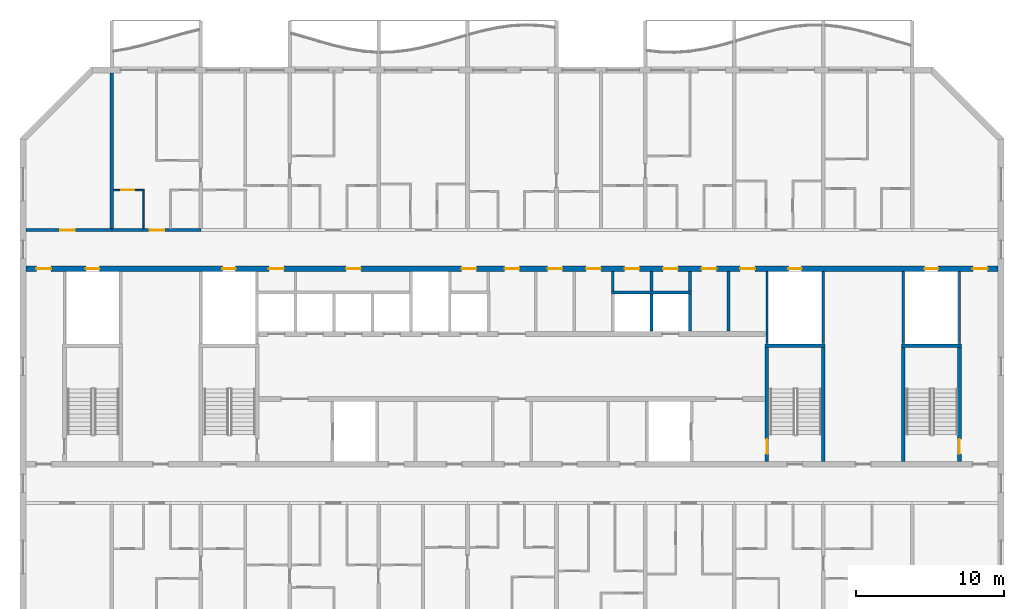
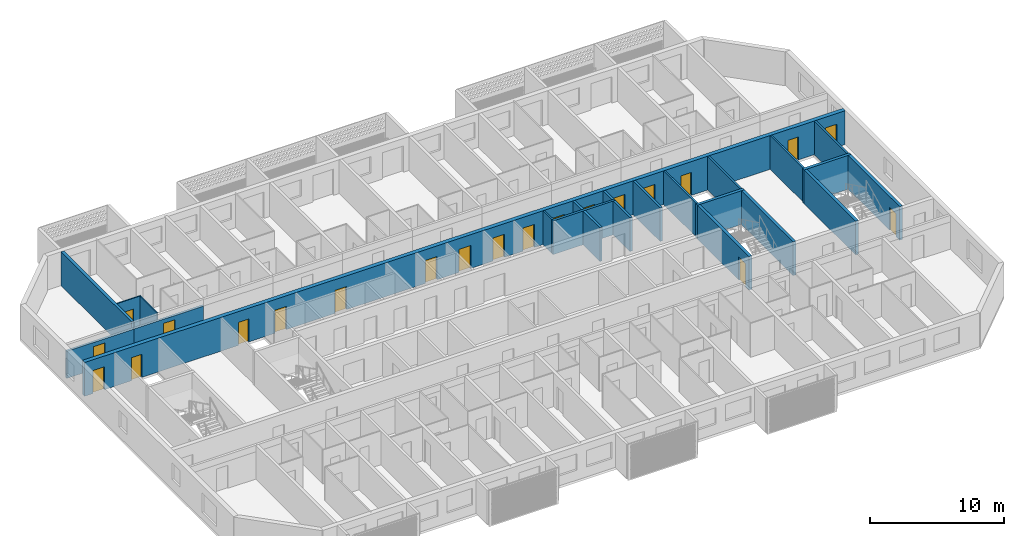
# One storey, part 7 of 29: 23 walls, 21 doors, 21 openings.
"""IFC4 building model written with IfcOpenShell, lengths in metres."""

from ifc_helpers import new_model, si_unit, direction, frame, frame_2d, origin, place, context, subcontext, project, spatial, rectangle, extrude, material, layer, layer_set, type_object, element, fill, save


model = new_model("IFC4")

# Units and contexts
model_context = context("Model", 3, precision=1e-05, world=origin(), true_north=direction((0.0, 1.0)))
body_context = subcontext(model_context, "Body", "Model", "MODEL_VIEW")
ifc_project = project(units=[si_unit("LENGTHUNIT", "METRE"), si_unit("AREAUNIT", "SQUARE_METRE"), si_unit("VOLUMEUNIT", "CUBIC_METRE"), si_unit("PLANEANGLEUNIT", "RADIAN"), si_unit("MASSUNIT", "GRAM", prefix="KILO")], contexts=[model_context])

# Site, building, storey
site_placement = place(None, origin())
site = spatial("IfcSite", under=ifc_project, at=site_placement, CompositionType="ELEMENT")
building_placement = place(site_placement, origin())
building = spatial("IfcBuilding", under=site, at=building_placement, Name="Poui Terraces", CompositionType="ELEMENT")
storey_placement = place(building_placement, frame((0.0, 0.0, 231.300048828125)))
storey = spatial("IfcBuildingStorey", under=building, at=storey_placement, Name="L64", CompositionType="ELEMENT", Elevation=231.300048828125)

# Wall, opening, door
ifc_material_1 = material(Name="Concrete 50 MPa", Category="concrete")
ifc_layer_1 = layer(ifc_material_1, 0.199951171875)
ifc_layer_set_1 = layer_set([ifc_layer_1], Name="Concrete 50 MPa")
wall_type_1 = type_object("IfcWallType", Name="CORRIDOR WALL 200 50MPa", PredefinedType="SHEAR", material=ifc_layer_set_1)
wall_1_placement = place(storey_placement, frame((18.199951171875, 30.39990234375, 0.0), z_axis=(0.0, 0.0, 1.0), x_axis=(1.0, 0.0, 0.0)))
wall_1 = element("IfcWall", 1, at=wall_1_placement, inside=storey, type_object=wall_type_1, Name="CORRIDOR WALL LINE E BAY 1", PredefinedType="SHEAR", context=body_context, shape_type="SweptSolid", body=[
    extrude(rectangle(XDim=5.800048828125, YDim=0.199951171875, at=frame_2d((2.89990234375, 0.0))), origin(), (0.0, 0.0, 1.0), 2.47998046875),
])
opening_1_placement = place(wall_1_placement, frame((2.300048828125, 0.0, 0.0)))
opening_1 = element("IfcOpeningElement", 2, at=opening_1_placement, cuts=wall_1, Name="Opening D100", PredefinedType="OPENING", context=body_context, shape_type="SweptSolid", body=[
    extrude(rectangle(XDim=1.0, YDim=2.10009765625, at=frame_2d((0.5, 1.050048828125))), frame((0.0, 0.10986328125, 0.0), z_axis=(0.0, -1.0, 0.0), x_axis=(1.0, 0.0, 0.0)), (0.0, 0.0, 1.0), 0.219970703125),
])
ifc_material_2 = material(Name="Solid core timber door", Category="wood")
door_type_1 = type_object("IfcDoorType", Name="ACCESSIBLE INTERNAL DOOR 1000 X 2100", OperationType="NOTDEFINED", PredefinedType="DOOR", material=ifc_material_2)
door_1_placement = place(opening_1_placement, origin())
door_1 = element("IfcDoor", 3, at=door_1_placement, inside=storey, type_object=door_type_1, Name="ACCESSIBLE INTERNAL DOOR 028", OperationType="SINGLE_SWING_LEFT", OverallHeight=2.10009765625, OverallWidth=1.0, PredefinedType="DOOR", context=body_context, shape_type="SweptSolid", body=[
    extrude(rectangle(XDim=1.0, YDim=2.10009765625, at=frame_2d((0.5, 1.050048828125))), frame((0.0, 0.02490234375, 0.0), z_axis=(0.0, -1.0, 0.0), x_axis=(1.0, 0.0, 0.0)), (0.0, 0.0, 1.0), 0.050048828125),
])
fill(opening_1, door_1)

wall_2_placement = place(storey_placement, frame((24.0, 30.39990234375, 0.0), z_axis=(0.0, 0.0, 1.0), x_axis=(1.0, 0.0, 0.0)))
wall_2 = element("IfcWall", 4, at=wall_2_placement, inside=storey, type_object=wall_type_1, Name="CORRIDOR WALL LINE E BAY 2", PredefinedType="SHEAR", context=body_context, shape_type="SweptSolid", body=[
    extrude(rectangle(XDim=6.0, YDim=0.199951171875, at=frame_2d((3.0, 0.0))), origin(), (0.0, 0.0, 1.0), 2.47998046875),
])
opening_2_placement = place(wall_2_placement, frame((2.550048828125, 0.0, 0.0)))
opening_2 = element("IfcOpeningElement", 5, at=opening_2_placement, cuts=wall_2, Name="Opening FD30S", PredefinedType="OPENING", context=body_context, shape_type="SweptSolid", body=[
    extrude(rectangle(XDim=1.0, YDim=2.10009765625, at=frame_2d((0.5, 1.050048828125))), frame((0.0, 0.10986328125, 0.0), z_axis=(0.0, -1.0, 0.0), x_axis=(1.0, 0.0, 0.0)), (0.0, 0.0, 1.0), 0.219970703125),
])
ifc_material_3 = material(Name="Steel fire door", Category="steel")
door_type_2 = type_object("IfcDoorType", Name="FLAT ENTRANCE DOOR 1000 X 2100", OperationType="NOTDEFINED", PredefinedType="DOOR", material=ifc_material_3)
door_2_placement = place(opening_2_placement, origin())
door_2 = element("IfcDoor", 6, at=door_2_placement, inside=storey, type_object=door_type_2, Name="FLAT ENTRANCE DOOR 031", OperationType="SINGLE_SWING_RIGHT", OverallHeight=2.10009765625, OverallWidth=1.0, PredefinedType="DOOR", context=body_context, shape_type="SweptSolid", body=[
    extrude(rectangle(XDim=1.0, YDim=2.10009765625, at=frame_2d((0.5, 1.050048828125))), frame((0.0, 0.02490234375, 0.0), z_axis=(0.0, -1.0, 0.0), x_axis=(1.0, 0.0, 0.0)), (0.0, 0.0, 1.0), 0.050048828125),
])
fill(opening_2, door_2)

# Wall
ifc_layer_2 = layer(ifc_material_1, 0.25)
ifc_layer_set_2 = layer_set([ifc_layer_2], Name="Concrete 50 MPa")
wall_type_2 = type_object("IfcWallType", Name="CROSS WALL 250 50MPa", PredefinedType="SHEAR", material=ifc_layer_set_2)
wall_3_placement = place(storey_placement, frame((24.0, 30.5, 0.0), z_axis=(0.0, 0.0, 1.0), x_axis=(0.0, 1.0, 0.0)))
element("IfcWall", 7, at=wall_3_placement, inside=storey, type_object=wall_type_2, Name="CROSS WALL LINE 5 NORTH", PredefinedType="SHEAR", context=body_context, shape_type="SweptSolid", body=[
    extrude(rectangle(XDim=10.5, YDim=0.25, at=frame_2d((5.25, 0.0))), origin(), (0.0, 0.0, 1.0), 3.079833984375),
])

# Wall, opening, door
ifc_material_4 = material(Name="Plasterboard partition")
ifc_layer_3 = layer(ifc_material_4, 0.10009765625)
ifc_layer_set_3 = layer_set([ifc_layer_3], Name="Plasterboard partition")
wall_type_3 = type_object("IfcWallType", Name="FLAT PARTITION 100", PredefinedType="PARTITIONING", material=ifc_layer_set_3)
wall_4_placement = place(storey_placement, frame((24.135009765625, 33.10009765625, 0.0), z_axis=(0.0, 0.0, 1.0), x_axis=(1.0, 0.0, 0.0)))
wall_4 = element("IfcWall", 8, at=wall_4_placement, inside=storey, type_object=wall_type_3, Name="FLAT PARTITION 100", PredefinedType="PARTITIONING", context=body_context, shape_type="SweptSolid", body=[
    extrude(rectangle(XDim=2.06494140625, YDim=0.10009765625, at=frame_2d((1.032470703125, 0.0))), origin(), (0.0, 0.0, 1.0), 3.079833984375),
])
opening_3_placement = place(wall_4_placement, frame((0.489990234375, 0.0, 0.0)))
opening_3 = element("IfcOpeningElement", 9, at=opening_3_placement, cuts=wall_4, Name="Opening D90", PredefinedType="OPENING", context=body_context, shape_type="SweptSolid", body=[
    extrude(rectangle(XDim=0.89990234375, YDim=2.10009765625, at=frame_2d((0.449951171875, 1.050048828125))), frame((0.0, 0.06005859375, 0.0), z_axis=(0.0, -1.0, 0.0), x_axis=(1.0, 0.0, 0.0)), (0.0, 0.0, 1.0), 0.1201171875),
])
door_type_3 = type_object("IfcDoorType", Name="INTERNAL DOOR 900 X 2100", OperationType="NOTDEFINED", PredefinedType="DOOR", material=ifc_material_2)
door_3_placement = place(opening_3_placement, frame((0.89990234375, 0.0, 0.0), z_axis=(0.0, 0.0, 1.0), x_axis=(-1.0, 0.0, 0.0)))
door_3 = element("IfcDoor", 10, at=door_3_placement, inside=storey, type_object=door_type_3, Name="INTERNAL DOOR 030", OperationType="SINGLE_SWING_LEFT", OverallHeight=2.10009765625, OverallWidth=0.89990234375, PredefinedType="DOOR", context=body_context, shape_type="SweptSolid", body=[
    extrude(rectangle(XDim=0.89990234375, YDim=2.10009765625, at=frame_2d((0.449951171875, 1.050048828125))), frame((0.0, 0.02490234375, 0.0), z_axis=(0.0, -1.0, 0.0), x_axis=(1.0, 0.0, 0.0)), (0.0, 0.0, 1.0), 0.050048828125),
])
fill(opening_3, door_3)

# Walls
wall_5_placement = place(storey_placement, frame((26.14990234375, 30.510009765625, 0.0), z_axis=(0.0, 0.0, 1.0), x_axis=(0.0, 1.0, 0.0)))
element("IfcWall", 11, at=wall_5_placement, inside=storey, type_object=wall_type_3, Name="FLAT PARTITION 100", PredefinedType="PARTITIONING", context=body_context, shape_type="SweptSolid", body=[
    extrude(rectangle(XDim=2.5400390625, YDim=0.10009765625, at=frame_2d((1.27001953125, 0.0))), origin(), (0.0, 0.0, 1.0), 3.079833984375),
])
ifc_layer_4 = layer(ifc_material_4, 0.14990234375)
ifc_layer_set_4 = layer_set([ifc_layer_4], Name="Plasterboard partition")
wall_type_4 = type_object("IfcWallType", Name="PARTITION WALL 150", PredefinedType="PARTITIONING", material=ifc_layer_set_4)
wall_6_placement = place(storey_placement, frame((57.800048828125, 26.300048828125, 0.0), z_axis=(0.0, 0.0, 1.0), x_axis=(0.0, 1.0, 0.0)))
element("IfcWall", 12, at=wall_6_placement, inside=storey, type_object=wall_type_4, Name="PARTITION WALL 150", PredefinedType="PARTITIONING", context=body_context, shape_type="SweptSolid", body=[
    extrude(rectangle(XDim=1.31494140625, YDim=0.14990234375, at=frame_2d((0.657470703125, 0.0))), origin(), (0.0, 0.0, 1.0), 3.079833984375),
])
ifc_material_5 = material(Name="Fire-rated masonry wall", Category="masonry")
ifc_layer_5 = layer(ifc_material_5, 0.199951171875)
ifc_layer_set_5 = layer_set([ifc_layer_5], Name="Fire-rated masonry wall")
wall_type_5 = type_object("IfcWallType", Name="PLANT ROOM WALL 200", PredefinedType="PARTITIONING", material=ifc_layer_set_5)
for number, where, z_axis, x_axis, name in (
    (13, (60.39990234375, 26.300048828125, 0.0), (0.0, 0.0, 1.0), (0.0, 1.0, 0.0), "PLANT ROOM WALL 200"),
    (14, (63.0, 26.300048828125, 0.0), (0.0, 0.0, 1.0), (0.0, 1.0, 0.0), "PLANT ROOM WALL 200"),
):
    element("IfcWall", number, at=place(storey_placement, frame(where, z_axis=z_axis, x_axis=x_axis)), inside=storey, type_object=wall_type_5, Name=name, PredefinedType="PARTITIONING", context=body_context, shape_type="SweptSolid", body=[
        extrude(rectangle(XDim=1.31494140625, YDim=0.199951171875, at=frame_2d((0.657470703125, 0.0))), origin(), (0.0, 0.0, 1.0), 3.079833984375),
    ])
wall_7_placement = place(storey_placement, frame((65.60009765625, 23.5849609375, 0.0), z_axis=(0.0, 0.0, 1.0), x_axis=(0.0, 1.0, 0.0)))
element("IfcWall", 15, at=wall_7_placement, inside=storey, type_object=wall_type_5, Name="PLANT ROOM WALL 200", PredefinedType="PARTITIONING", context=body_context, shape_type="SweptSolid", body=[
    extrude(rectangle(XDim=4.030029296875, YDim=0.199951171875, at=frame_2d((2.01513671875, 0.0))), origin(), (0.0, 0.0, 1.0), 3.079833984375),
])
ifc_material_6 = material(Name="Fire-rated plasterboard riser wall")
ifc_layer_6 = layer(ifc_material_6, 0.14990234375)
ifc_layer_set_6 = layer_set([ifc_layer_6], Name="Fire-rated plasterboard riser wall")
wall_type_6 = type_object("IfcWallType", Name="RISER WALL 150", PredefinedType="PARTITIONING", material=ifc_layer_set_6)
for number, where, z_axis, x_axis, name in (
    (16, (68.199951171875, 22.735107421875, 0.0), (0.0, 0.0, 1.0), (0.0, 1.0, 0.0), "RISER WALL 150"),
    (17, (72.0, 22.735107421875, 0.0), (0.0, 0.0, 1.0), (0.0, 1.0, 0.0), "RISER WALL 150"),
    (18, (77.39990234375, 22.735107421875, 0.0), (0.0, 0.0, 1.0), (0.0, 1.0, 0.0), "RISER WALL 150"),
    (19, (81.199951171875, 22.735107421875, 0.0), (0.0, 0.0, 1.0), (0.0, 1.0, 0.0), "RISER WALL 150"),
):
    element("IfcWall", number, at=place(storey_placement, frame(where, z_axis=z_axis, x_axis=x_axis)), inside=storey, type_object=wall_type_6, Name=name, PredefinedType="PARTITIONING", context=body_context, shape_type="SweptSolid", body=[
        extrude(rectangle(XDim=4.8798828125, YDim=0.14990234375, at=frame_2d((2.43994140625, 0.0))), origin(), (0.0, 0.0, 1.0), 3.079833984375),
    ])
ifc_material_7 = material(Name="Fire-rated masonry shaft wall", Category="masonry")
ifc_layer_7 = layer(ifc_material_7, 0.199951171875)
ifc_layer_set_7 = layer_set([ifc_layer_7], Name="Fire-rated masonry shaft wall")
wall_type_7 = type_object("IfcWallType", Name="SHAFT WALL 200", PredefinedType="PARTITIONING", material=ifc_layer_set_7)
wall_8_placement = place(storey_placement, frame((57.699951171875, 26.199951171875, 0.0), z_axis=(0.0, 0.0, 1.0), x_axis=(1.0, 0.0, 0.0)))
element("IfcWall", 20, at=wall_8_placement, inside=storey, type_object=wall_type_7, Name="SHAFT WALL 200", PredefinedType="PARTITIONING", context=body_context, shape_type="SweptSolid", body=[
    extrude(rectangle(XDim=5.400146484375, YDim=0.199951171875, at=frame_2d((2.7001953125, 0.0))), origin(), (0.0, 0.0, 1.0), 3.079833984375),
])
for number, where, z_axis, x_axis, name in (
    (21, (60.39990234375, 23.5849609375, 0.0), (0.0, 0.0, 1.0), (0.0, 1.0, 0.0), "SHAFT WALL 200"),
    (22, (63.0, 23.5849609375, 0.0), (0.0, 0.0, 1.0), (0.0, 1.0, 0.0), "SHAFT WALL 200"),
):
    element("IfcWall", number, at=place(storey_placement, frame(where, z_axis=z_axis, x_axis=x_axis)), inside=storey, type_object=wall_type_7, Name=name, PredefinedType="PARTITIONING", context=body_context, shape_type="SweptSolid", body=[
        extrude(rectangle(XDim=2.51513671875, YDim=0.199951171875, at=frame_2d((1.257568359375, 0.0))), origin(), (0.0, 0.0, 1.0), 3.079833984375),
    ])

# Wall, openings, doors
ifc_layer_8 = layer(ifc_material_1, 0.35009765625)
ifc_layer_set_8 = layer_set([ifc_layer_8], Name="Concrete 50 MPa")
wall_type_8 = type_object("IfcWallType", Name="SPINE WALL 350 50 MPA", PredefinedType="SOLIDWALL", material=ifc_layer_set_8)
wall_9_placement = place(storey_placement, frame((18.199951171875, 27.800048828125, 0.0), z_axis=(0.0, 0.0, 1.0), x_axis=(1.0, 0.0, 0.0)))
wall_9 = element("IfcWall", 23, at=wall_9_placement, inside=storey, type_object=wall_type_8, Name="SPINE WALL", PredefinedType="SOLIDWALL", context=body_context, shape_type="SweptSolid", body=[
    extrude(rectangle(XDim=65.60009765625, YDim=0.35009765625, at=frame_2d((32.800048828125, 0.0))), origin(), (0.0, 0.0, 1.0), 3.079833984375),
])
opening_4_placement = place(wall_9_placement, frame((0.699951171875, 0.0, 0.0)))
opening_4 = element("IfcOpeningElement", 24, at=opening_4_placement, cuts=wall_9, Name="Opening FDL", PredefinedType="OPENING", context=body_context, shape_type="SweptSolid", body=[
    extrude(rectangle(XDim=1.0, YDim=2.10009765625, at=frame_2d((0.5, 1.050048828125))), frame((0.0, 0.18505859375, 0.0), z_axis=(0.0, -1.0, 0.0), x_axis=(1.0, 0.0, 0.0)), (0.0, 0.0, 1.0), 0.3701171875),
])
opening_5_placement = place(wall_9_placement, frame((4.050048828125, 0.0, 0.0)))
opening_5 = element("IfcOpeningElement", 25, at=opening_5_placement, cuts=wall_9, Name="Opening FDR", PredefinedType="OPENING", context=body_context, shape_type="SweptSolid", body=[
    extrude(rectangle(XDim=0.89990234375, YDim=2.10009765625, at=frame_2d((0.449951171875, 1.050048828125))), frame((0.0, 0.18505859375, 0.0), z_axis=(0.0, -1.0, 0.0), x_axis=(1.0, 0.0, 0.0)), (0.0, 0.0, 1.0), 0.3701171875),
])
opening_6_placement = place(wall_9_placement, frame((13.25, 0.0, 0.0)))
opening_6 = element("IfcOpeningElement", 26, at=opening_6_placement, cuts=wall_9, Name="Opening FDR", PredefinedType="OPENING", context=body_context, shape_type="SweptSolid", body=[
    extrude(rectangle(XDim=0.89990234375, YDim=2.10009765625, at=frame_2d((0.449951171875, 1.050048828125))), frame((0.0, 0.18505859375, 0.0), z_axis=(0.0, -1.0, 0.0), x_axis=(1.0, 0.0, 0.0)), (0.0, 0.0, 1.0), 0.3701171875),
])
opening_7_placement = place(wall_9_placement, frame((16.39990234375, 0.0, 0.0)))
opening_7 = element("IfcOpeningElement", 27, at=opening_7_placement, cuts=wall_9, Name="Opening FD60", PredefinedType="OPENING", context=body_context, shape_type="SweptSolid", body=[
    extrude(rectangle(XDim=1.0, YDim=2.10009765625, at=frame_2d((0.5, 1.050048828125))), frame((0.0, 0.18505859375, 0.0), z_axis=(0.0, -1.0, 0.0), x_axis=(1.0, 0.0, 0.0)), (0.0, 0.0, 1.0), 0.3701171875),
])
opening_8_placement = place(wall_9_placement, frame((21.60009765625, 0.0, 0.0)))
opening_8 = element("IfcOpeningElement", 28, at=opening_8_placement, cuts=wall_9, Name="Opening FD60", PredefinedType="OPENING", context=body_context, shape_type="SweptSolid", body=[
    extrude(rectangle(XDim=1.0, YDim=2.10009765625, at=frame_2d((0.5, 1.050048828125))), frame((0.0, 0.18505859375, 0.0), z_axis=(0.0, -1.0, 0.0), x_axis=(1.0, 0.0, 0.0)), (0.0, 0.0, 1.0), 0.3701171875),
])
opening_9_placement = place(wall_9_placement, frame((29.39990234375, 0.0, 0.0)))
opening_9 = element("IfcOpeningElement", 29, at=opening_9_placement, cuts=wall_9, Name="Opening FD60", PredefinedType="OPENING", context=body_context, shape_type="SweptSolid", body=[
    extrude(rectangle(XDim=1.0, YDim=2.10009765625, at=frame_2d((0.5, 1.050048828125))), frame((0.0, 0.18505859375, 0.0), z_axis=(0.0, -1.0, 0.0), x_axis=(1.0, 0.0, 0.0)), (0.0, 0.0, 1.0), 0.3701171875),
])
opening_10_placement = place(wall_9_placement, frame((32.300048828125, 0.0, 0.0)))
opening_10 = element("IfcOpeningElement", 30, at=opening_10_placement, cuts=wall_9, Name="Opening FDL", PredefinedType="OPENING", context=body_context, shape_type="SweptSolid", body=[
    extrude(rectangle(XDim=1.0, YDim=2.10009765625, at=frame_2d((0.5, 1.050048828125))), frame((0.0, 0.18505859375, 0.0), z_axis=(0.0, -1.0, 0.0), x_axis=(1.0, 0.0, 0.0)), (0.0, 0.0, 1.0), 0.3701171875),
])
opening_11_placement = place(wall_9_placement, frame((35.199951171875, 0.0, 0.0)))
opening_11 = element("IfcOpeningElement", 31, at=opening_11_placement, cuts=wall_9, Name="Opening FD60", PredefinedType="OPENING", context=body_context, shape_type="SweptSolid", body=[
    extrude(rectangle(XDim=1.0, YDim=2.10009765625, at=frame_2d((0.5, 1.050048828125))), frame((0.0, 0.18505859375, 0.0), z_axis=(0.0, -1.0, 0.0), x_axis=(1.0, 0.0, 0.0)), (0.0, 0.0, 1.0), 0.3701171875),
])
opening_12_placement = place(wall_9_placement, frame((37.800048828125, 0.0, 0.0)))
opening_12 = element("IfcOpeningElement", 32, at=opening_12_placement, cuts=wall_9, Name="Opening FD60", PredefinedType="OPENING", context=body_context, shape_type="SweptSolid", body=[
    extrude(rectangle(XDim=1.0, YDim=2.10009765625, at=frame_2d((0.5, 1.050048828125))), frame((0.0, 0.18505859375, 0.0), z_axis=(0.0, -1.0, 0.0), x_axis=(1.0, 0.0, 0.0)), (0.0, 0.0, 1.0), 0.3701171875),
])
opening_13_placement = place(wall_9_placement, frame((40.39990234375, 0.0, 0.0)))
opening_13 = element("IfcOpeningElement", 33, at=opening_13_placement, cuts=wall_9, Name="Opening FD60", PredefinedType="OPENING", context=body_context, shape_type="SweptSolid", body=[
    extrude(rectangle(XDim=1.0, YDim=2.10009765625, at=frame_2d((0.5, 1.050048828125))), frame((0.0, 0.18505859375, 0.0), z_axis=(0.0, -1.0, 0.0), x_axis=(1.0, 0.0, 0.0)), (0.0, 0.0, 1.0), 0.3701171875),
])
opening_14_placement = place(wall_9_placement, frame((43.0, 0.0, 0.0)))
opening_14 = element("IfcOpeningElement", 34, at=opening_14_placement, cuts=wall_9, Name="Opening FD60", PredefinedType="OPENING", context=body_context, shape_type="SweptSolid", body=[
    extrude(rectangle(XDim=1.0, YDim=2.10009765625, at=frame_2d((0.5, 1.050048828125))), frame((0.0, 0.18505859375, 0.0), z_axis=(0.0, -1.0, 0.0), x_axis=(1.0, 0.0, 0.0)), (0.0, 0.0, 1.0), 0.3701171875),
])
opening_15_placement = place(wall_9_placement, frame((45.60009765625, 0.0, 0.0)))
opening_15 = element("IfcOpeningElement", 35, at=opening_15_placement, cuts=wall_9, Name="Opening FD60", PredefinedType="OPENING", context=body_context, shape_type="SweptSolid", body=[
    extrude(rectangle(XDim=1.0, YDim=2.10009765625, at=frame_2d((0.5, 1.050048828125))), frame((0.0, 0.18505859375, 0.0), z_axis=(0.0, -1.0, 0.0), x_axis=(1.0, 0.0, 0.0)), (0.0, 0.0, 1.0), 0.3701171875),
])
opening_16_placement = place(wall_9_placement, frame((48.199951171875, 0.0, 0.0)))
opening_16 = element("IfcOpeningElement", 36, at=opening_16_placement, cuts=wall_9, Name="Opening FD60", PredefinedType="OPENING", context=body_context, shape_type="SweptSolid", body=[
    extrude(rectangle(XDim=1.0, YDim=2.10009765625, at=frame_2d((0.5, 1.050048828125))), frame((0.0, 0.18505859375, 0.0), z_axis=(0.0, -1.0, 0.0), x_axis=(1.0, 0.0, 0.0)), (0.0, 0.0, 1.0), 0.3701171875),
])
opening_17_placement = place(wall_9_placement, frame((51.449951171875, 0.0, 0.0)))
opening_17 = element("IfcOpeningElement", 37, at=opening_17_placement, cuts=wall_9, Name="Opening FDR", PredefinedType="OPENING", context=body_context, shape_type="SweptSolid", body=[
    extrude(rectangle(XDim=0.89990234375, YDim=2.10009765625, at=frame_2d((0.449951171875, 1.050048828125))), frame((0.0, 0.18505859375, 0.0), z_axis=(0.0, -1.0, 0.0), x_axis=(1.0, 0.0, 0.0)), (0.0, 0.0, 1.0), 0.3701171875),
])
opening_18_placement = place(wall_9_placement, frame((60.64990234375, 0.0, 0.0)))
opening_18 = element("IfcOpeningElement", 38, at=opening_18_placement, cuts=wall_9, Name="Opening FDR", PredefinedType="OPENING", context=body_context, shape_type="SweptSolid", body=[
    extrude(rectangle(XDim=0.89990234375, YDim=2.10009765625, at=frame_2d((0.449951171875, 1.050048828125))), frame((0.0, 0.18505859375, 0.0), z_axis=(0.0, -1.0, 0.0), x_axis=(1.0, 0.0, 0.0)), (0.0, 0.0, 1.0), 0.3701171875),
])
opening_19_placement = place(wall_9_placement, frame((63.89990234375, 0.0, 0.0)))
opening_19 = element("IfcOpeningElement", 39, at=opening_19_placement, cuts=wall_9, Name="Opening FDL", PredefinedType="OPENING", context=body_context, shape_type="SweptSolid", body=[
    extrude(rectangle(XDim=1.0, YDim=2.10009765625, at=frame_2d((0.5, 1.050048828125))), frame((0.0, 0.18505859375, 0.0), z_axis=(0.0, -1.0, 0.0), x_axis=(1.0, 0.0, 0.0)), (0.0, 0.0, 1.0), 0.3701171875),
])
door_type_4 = type_object("IfcDoorType", Name="LOBBY FIRE DOOR 1000 X 2100", OperationType="NOTDEFINED", PredefinedType="DOOR", material=ifc_material_3)
door_4_placement = place(opening_4_placement, origin())
door_4 = element("IfcDoor", 40, at=door_4_placement, inside=storey, type_object=door_type_4, Name="LOBBY FIRE DOOR 001", OperationType="SINGLE_SWING_LEFT", OverallHeight=2.10009765625, OverallWidth=1.0, PredefinedType="DOOR", context=body_context, shape_type="SweptSolid", body=[
    extrude(rectangle(XDim=1.0, YDim=2.10009765625, at=frame_2d((0.5, 1.050048828125))), frame((0.0, 0.02490234375, 0.0), z_axis=(0.0, -1.0, 0.0), x_axis=(1.0, 0.0, 0.0)), (0.0, 0.0, 1.0), 0.050048828125),
])
fill(opening_4, door_4)
door_5_placement = place(opening_10_placement, origin())
door_5 = element("IfcDoor", 41, at=door_5_placement, inside=storey, type_object=door_type_4, Name="LOBBY FIRE DOOR 007", OperationType="SINGLE_SWING_RIGHT", OverallHeight=2.10009765625, OverallWidth=1.0, PredefinedType="DOOR", context=body_context, shape_type="SweptSolid", body=[
    extrude(rectangle(XDim=1.0, YDim=2.10009765625, at=frame_2d((0.5, 1.050048828125))), frame((0.0, 0.02490234375, 0.0), z_axis=(0.0, -1.0, 0.0), x_axis=(1.0, 0.0, 0.0)), (0.0, 0.0, 1.0), 0.050048828125),
])
fill(opening_10, door_5)
door_6_placement = place(opening_19_placement, origin())
door_6 = element("IfcDoor", 42, at=door_6_placement, inside=storey, type_object=door_type_4, Name="LOBBY FIRE DOOR 016", OperationType="SINGLE_SWING_RIGHT", OverallHeight=2.10009765625, OverallWidth=1.0, PredefinedType="DOOR", context=body_context, shape_type="SweptSolid", body=[
    extrude(rectangle(XDim=1.0, YDim=2.10009765625, at=frame_2d((0.5, 1.050048828125))), frame((0.0, 0.02490234375, 0.0), z_axis=(0.0, -1.0, 0.0), x_axis=(1.0, 0.0, 0.0)), (0.0, 0.0, 1.0), 0.050048828125),
])
fill(opening_19, door_6)
door_type_5 = type_object("IfcDoorType", Name="RISER CUPBOARD DOOR 900 X 2100", OperationType="NOTDEFINED", PredefinedType="DOOR", material=ifc_material_3)
door_7_placement = place(opening_5_placement, origin())
door_7 = element("IfcDoor", 43, at=door_7_placement, inside=storey, type_object=door_type_5, Name="RISER CUPBOARD DOOR 002", OperationType="SINGLE_SWING_LEFT", OverallHeight=2.10009765625, OverallWidth=0.89990234375, PredefinedType="DOOR", context=body_context, shape_type="SweptSolid", body=[
    extrude(rectangle(XDim=0.89990234375, YDim=2.10009765625, at=frame_2d((0.449951171875, 1.050048828125))), frame((0.0, 0.02490234375, 0.0), z_axis=(0.0, -1.0, 0.0), x_axis=(1.0, 0.0, 0.0)), (0.0, 0.0, 1.0), 0.050048828125),
])
fill(opening_5, door_7)
door_8_placement = place(opening_6_placement, origin())
door_8 = element("IfcDoor", 44, at=door_8_placement, inside=storey, type_object=door_type_5, Name="RISER CUPBOARD DOOR 003", OperationType="SINGLE_SWING_LEFT", OverallHeight=2.10009765625, OverallWidth=0.89990234375, PredefinedType="DOOR", context=body_context, shape_type="SweptSolid", body=[
    extrude(rectangle(XDim=0.89990234375, YDim=2.10009765625, at=frame_2d((0.449951171875, 1.050048828125))), frame((0.0, 0.02490234375, 0.0), z_axis=(0.0, -1.0, 0.0), x_axis=(1.0, 0.0, 0.0)), (0.0, 0.0, 1.0), 0.050048828125),
])
fill(opening_6, door_8)
door_9_placement = place(opening_17_placement, origin())
door_9 = element("IfcDoor", 45, at=door_9_placement, inside=storey, type_object=door_type_5, Name="RISER CUPBOARD DOOR 014", OperationType="SINGLE_SWING_RIGHT", OverallHeight=2.10009765625, OverallWidth=0.89990234375, PredefinedType="DOOR", context=body_context, shape_type="SweptSolid", body=[
    extrude(rectangle(XDim=0.89990234375, YDim=2.10009765625, at=frame_2d((0.449951171875, 1.050048828125))), frame((0.0, 0.02490234375, 0.0), z_axis=(0.0, -1.0, 0.0), x_axis=(1.0, 0.0, 0.0)), (0.0, 0.0, 1.0), 0.050048828125),
])
fill(opening_17, door_9)
door_10_placement = place(opening_18_placement, origin())
door_10 = element("IfcDoor", 46, at=door_10_placement, inside=storey, type_object=door_type_5, Name="RISER CUPBOARD DOOR 015", OperationType="SINGLE_SWING_RIGHT", OverallHeight=2.10009765625, OverallWidth=0.89990234375, PredefinedType="DOOR", context=body_context, shape_type="SweptSolid", body=[
    extrude(rectangle(XDim=0.89990234375, YDim=2.10009765625, at=frame_2d((0.449951171875, 1.050048828125))), frame((0.0, 0.02490234375, 0.0), z_axis=(0.0, -1.0, 0.0), x_axis=(1.0, 0.0, 0.0)), (0.0, 0.0, 1.0), 0.050048828125),
])
fill(opening_18, door_10)
door_type_6 = type_object("IfcDoorType", Name="SERVICE ROOM FIRE DOOR 1000 X 2100", OperationType="NOTDEFINED", PredefinedType="DOOR", material=ifc_material_3)
door_11_placement = place(opening_7_placement, origin())
door_11 = element("IfcDoor", 47, at=door_11_placement, inside=storey, type_object=door_type_6, Name="SERVICE ROOM FIRE DOOR 004", OperationType="SINGLE_SWING_LEFT", OverallHeight=2.10009765625, OverallWidth=1.0, PredefinedType="DOOR", context=body_context, shape_type="SweptSolid", body=[
    extrude(rectangle(XDim=1.0, YDim=2.10009765625, at=frame_2d((0.5, 1.050048828125))), frame((0.0, 0.02490234375, 0.0), z_axis=(0.0, -1.0, 0.0), x_axis=(1.0, 0.0, 0.0)), (0.0, 0.0, 1.0), 0.050048828125),
])
fill(opening_7, door_11)
door_12_placement = place(opening_8_placement, origin())
door_12 = element("IfcDoor", 48, at=door_12_placement, inside=storey, type_object=door_type_6, Name="SERVICE ROOM FIRE DOOR 005", OperationType="SINGLE_SWING_RIGHT", OverallHeight=2.10009765625, OverallWidth=1.0, PredefinedType="DOOR", context=body_context, shape_type="SweptSolid", body=[
    extrude(rectangle(XDim=1.0, YDim=2.10009765625, at=frame_2d((0.5, 1.050048828125))), frame((0.0, 0.02490234375, 0.0), z_axis=(0.0, -1.0, 0.0), x_axis=(1.0, 0.0, 0.0)), (0.0, 0.0, 1.0), 0.050048828125),
])
fill(opening_8, door_12)
door_13_placement = place(opening_9_placement, origin())
door_13 = element("IfcDoor", 49, at=door_13_placement, inside=storey, type_object=door_type_6, Name="SERVICE ROOM FIRE DOOR 006", OperationType="SINGLE_SWING_LEFT", OverallHeight=2.10009765625, OverallWidth=1.0, PredefinedType="DOOR", context=body_context, shape_type="SweptSolid", body=[
    extrude(rectangle(XDim=1.0, YDim=2.10009765625, at=frame_2d((0.5, 1.050048828125))), frame((0.0, 0.02490234375, 0.0), z_axis=(0.0, -1.0, 0.0), x_axis=(1.0, 0.0, 0.0)), (0.0, 0.0, 1.0), 0.050048828125),
])
fill(opening_9, door_13)
door_14_placement = place(opening_11_placement, origin())
door_14 = element("IfcDoor", 50, at=door_14_placement, inside=storey, type_object=door_type_6, Name="SERVICE ROOM FIRE DOOR 008", OperationType="SINGLE_SWING_RIGHT", OverallHeight=2.10009765625, OverallWidth=1.0, PredefinedType="DOOR", context=body_context, shape_type="SweptSolid", body=[
    extrude(rectangle(XDim=1.0, YDim=2.10009765625, at=frame_2d((0.5, 1.050048828125))), frame((0.0, 0.02490234375, 0.0), z_axis=(0.0, -1.0, 0.0), x_axis=(1.0, 0.0, 0.0)), (0.0, 0.0, 1.0), 0.050048828125),
])
fill(opening_11, door_14)
door_15_placement = place(opening_12_placement, origin())
door_15 = element("IfcDoor", 51, at=door_15_placement, inside=storey, type_object=door_type_6, Name="SERVICE ROOM FIRE DOOR 009", OperationType="SINGLE_SWING_LEFT", OverallHeight=2.10009765625, OverallWidth=1.0, PredefinedType="DOOR", context=body_context, shape_type="SweptSolid", body=[
    extrude(rectangle(XDim=1.0, YDim=2.10009765625, at=frame_2d((0.5, 1.050048828125))), frame((0.0, 0.02490234375, 0.0), z_axis=(0.0, -1.0, 0.0), x_axis=(1.0, 0.0, 0.0)), (0.0, 0.0, 1.0), 0.050048828125),
])
fill(opening_12, door_15)
door_16_placement = place(opening_13_placement, origin())
door_16 = element("IfcDoor", 52, at=door_16_placement, inside=storey, type_object=door_type_6, Name="SERVICE ROOM FIRE DOOR 010", OperationType="SINGLE_SWING_RIGHT", OverallHeight=2.10009765625, OverallWidth=1.0, PredefinedType="DOOR", context=body_context, shape_type="SweptSolid", body=[
    extrude(rectangle(XDim=1.0, YDim=2.10009765625, at=frame_2d((0.5, 1.050048828125))), frame((0.0, 0.02490234375, 0.0), z_axis=(0.0, -1.0, 0.0), x_axis=(1.0, 0.0, 0.0)), (0.0, 0.0, 1.0), 0.050048828125),
])
fill(opening_13, door_16)
door_17_placement = place(opening_14_placement, origin())
door_17 = element("IfcDoor", 53, at=door_17_placement, inside=storey, type_object=door_type_6, Name="SERVICE ROOM FIRE DOOR 011", OperationType="SINGLE_SWING_LEFT", OverallHeight=2.10009765625, OverallWidth=1.0, PredefinedType="DOOR", context=body_context, shape_type="SweptSolid", body=[
    extrude(rectangle(XDim=1.0, YDim=2.10009765625, at=frame_2d((0.5, 1.050048828125))), frame((0.0, 0.02490234375, 0.0), z_axis=(0.0, -1.0, 0.0), x_axis=(1.0, 0.0, 0.0)), (0.0, 0.0, 1.0), 0.050048828125),
])
fill(opening_14, door_17)
door_18_placement = place(opening_15_placement, origin())
door_18 = element("IfcDoor", 54, at=door_18_placement, inside=storey, type_object=door_type_6, Name="SERVICE ROOM FIRE DOOR 012", OperationType="SINGLE_SWING_RIGHT", OverallHeight=2.10009765625, OverallWidth=1.0, PredefinedType="DOOR", context=body_context, shape_type="SweptSolid", body=[
    extrude(rectangle(XDim=1.0, YDim=2.10009765625, at=frame_2d((0.5, 1.050048828125))), frame((0.0, 0.02490234375, 0.0), z_axis=(0.0, -1.0, 0.0), x_axis=(1.0, 0.0, 0.0)), (0.0, 0.0, 1.0), 0.050048828125),
])
fill(opening_15, door_18)
door_19_placement = place(opening_16_placement, origin())
door_19 = element("IfcDoor", 55, at=door_19_placement, inside=storey, type_object=door_type_6, Name="SERVICE ROOM FIRE DOOR 013", OperationType="SINGLE_SWING_LEFT", OverallHeight=2.10009765625, OverallWidth=1.0, PredefinedType="DOOR", context=body_context, shape_type="SweptSolid", body=[
    extrude(rectangle(XDim=1.0, YDim=2.10009765625, at=frame_2d((0.5, 1.050048828125))), frame((0.0, 0.02490234375, 0.0), z_axis=(0.0, -1.0, 0.0), x_axis=(1.0, 0.0, 0.0)), (0.0, 0.0, 1.0), 0.050048828125),
])
fill(opening_16, door_19)

# Wall, opening, door
ifc_layer_9 = layer(ifc_material_1, 0.25)
ifc_layer_set_9 = layer_set([ifc_layer_9], Name="Concrete 50 MPa")
wall_type_9 = type_object("IfcWallType", Name="STAIR CORE WALL 250 50 MPA", PredefinedType="SOLIDWALL", material=ifc_layer_set_9)
wall_10_placement = place(storey_placement, frame((68.199951171875, 14.77490234375, 0.0), z_axis=(0.0, 0.0, 1.0), x_axis=(0.0, 1.0, 0.0)))
wall_10 = element("IfcWall", 56, at=wall_10_placement, inside=storey, type_object=wall_type_9, Name="STAIR CORE WALL", PredefinedType="SOLIDWALL", context=body_context, shape_type="SweptSolid", body=[
    extrude(rectangle(XDim=7.7001953125, YDim=0.25, at=frame_2d((3.85009765625, 0.0))), origin(), (0.0, 0.0, 1.0), 3.079833984375),
])
opening_20_placement = place(wall_10_placement, frame((0.52490234375, 0.0, 0.0)))
opening_20 = element("IfcOpeningElement", 57, at=opening_20_placement, cuts=wall_10, Name="Opening FD60S", PredefinedType="OPENING", context=body_context, shape_type="SweptSolid", body=[
    extrude(rectangle(XDim=1.0, YDim=2.10009765625, at=frame_2d((0.5, 1.050048828125))), frame((0.0, 0.135009765625, 0.0), z_axis=(0.0, -1.0, 0.0), x_axis=(1.0, 0.0, 0.0)), (0.0, 0.0, 1.0), 0.27001953125),
])
door_type_7 = type_object("IfcDoorType", Name="STAIR DOOR 1000 X 2100", OperationType="NOTDEFINED", PredefinedType="DOOR", material=ifc_material_3)
door_20_placement = place(opening_20_placement, frame((1.0, 0.0, 0.0), z_axis=(0.0, 0.0, 1.0), x_axis=(-1.0, 0.0, 0.0)))
door_20 = element("IfcDoor", 58, at=door_20_placement, inside=storey, type_object=door_type_7, Name="STAIR DOOR 101", OperationType="SINGLE_SWING_LEFT", OverallHeight=2.10009765625, OverallWidth=1.0, PredefinedType="DOOR", context=body_context, shape_type="SweptSolid", body=[
    extrude(rectangle(XDim=1.0, YDim=2.10009765625, at=frame_2d((0.5, 1.050048828125))), frame((0.0, 0.02490234375, 0.0), z_axis=(0.0, -1.0, 0.0), x_axis=(1.0, 0.0, 0.0)), (0.0, 0.0, 1.0), 0.050048828125),
])
fill(opening_20, door_20)

# Walls
wall_11_placement = place(storey_placement, frame((72.0, 14.77490234375, 0.0), z_axis=(0.0, 0.0, 1.0), x_axis=(0.0, 1.0, 0.0)))
element("IfcWall", 59, at=wall_11_placement, inside=storey, type_object=wall_type_9, Name="STAIR CORE WALL", PredefinedType="SOLIDWALL", context=body_context, shape_type="SweptSolid", body=[
    extrude(rectangle(XDim=7.7001953125, YDim=0.25, at=frame_2d((3.85009765625, 0.0))), origin(), (0.0, 0.0, 1.0), 3.079833984375),
])
wall_12_placement = place(storey_placement, frame((68.074951171875, 22.60009765625, 0.0), z_axis=(0.0, 0.0, 1.0), x_axis=(1.0, 0.0, 0.0)))
element("IfcWall", 60, at=wall_12_placement, inside=storey, type_object=wall_type_9, Name="STAIR CORE WALL", PredefinedType="SOLIDWALL", context=body_context, shape_type="SweptSolid", body=[
    extrude(rectangle(XDim=4.050048828125, YDim=0.25, at=frame_2d((2.02490234375, 0.0))), origin(), (0.0, 0.0, 1.0), 3.079833984375),
])
wall_13_placement = place(storey_placement, frame((77.39990234375, 14.77490234375, 0.0), z_axis=(0.0, 0.0, 1.0), x_axis=(0.0, 1.0, 0.0)))
element("IfcWall", 61, at=wall_13_placement, inside=storey, type_object=wall_type_9, Name="STAIR CORE WALL", PredefinedType="SOLIDWALL", context=body_context, shape_type="SweptSolid", body=[
    extrude(rectangle(XDim=7.7001953125, YDim=0.25, at=frame_2d((3.85009765625, 0.0))), origin(), (0.0, 0.0, 1.0), 3.079833984375),
])

# Wall, opening, door
wall_14_placement = place(storey_placement, frame((81.199951171875, 14.77490234375, 0.0), z_axis=(0.0, 0.0, 1.0), x_axis=(0.0, 1.0, 0.0)))
wall_14 = element("IfcWall", 62, at=wall_14_placement, inside=storey, type_object=wall_type_9, Name="STAIR CORE WALL", PredefinedType="SOLIDWALL", context=body_context, shape_type="SweptSolid", body=[
    extrude(rectangle(XDim=7.7001953125, YDim=0.25, at=frame_2d((3.85009765625, 0.0))), origin(), (0.0, 0.0, 1.0), 3.079833984375),
])
opening_21_placement = place(wall_14_placement, frame((0.52490234375, 0.0, 0.0)))
opening_21 = element("IfcOpeningElement", 63, at=opening_21_placement, cuts=wall_14, Name="Opening FD60S", PredefinedType="OPENING", context=body_context, shape_type="SweptSolid", body=[
    extrude(rectangle(XDim=1.0, YDim=2.10009765625, at=frame_2d((0.5, 1.050048828125))), frame((0.0, 0.135009765625, 0.0), z_axis=(0.0, -1.0, 0.0), x_axis=(1.0, 0.0, 0.0)), (0.0, 0.0, 1.0), 0.27001953125),
])
door_21_placement = place(opening_21_placement, origin())
door_21 = element("IfcDoor", 64, at=door_21_placement, inside=storey, type_object=door_type_7, Name="STAIR DOOR 115", OperationType="SINGLE_SWING_LEFT", OverallHeight=2.10009765625, OverallWidth=1.0, PredefinedType="DOOR", context=body_context, shape_type="SweptSolid", body=[
    extrude(rectangle(XDim=1.0, YDim=2.10009765625, at=frame_2d((0.5, 1.050048828125))), frame((0.0, 0.02490234375, 0.0), z_axis=(0.0, -1.0, 0.0), x_axis=(1.0, 0.0, 0.0)), (0.0, 0.0, 1.0), 0.050048828125),
])
fill(opening_21, door_21)

# Wall
wall_15_placement = place(storey_placement, frame((77.27490234375, 22.60009765625, 0.0), z_axis=(0.0, 0.0, 1.0), x_axis=(1.0, 0.0, 0.0)))
element("IfcWall", 65, at=wall_15_placement, inside=storey, type_object=wall_type_9, Name="STAIR CORE WALL", PredefinedType="SOLIDWALL", context=body_context, shape_type="SweptSolid", body=[
    extrude(rectangle(XDim=4.050048828125, YDim=0.25, at=frame_2d((2.02490234375, 0.0))), origin(), (0.0, 0.0, 1.0), 3.079833984375),
])

save(model, "model.ifc")
